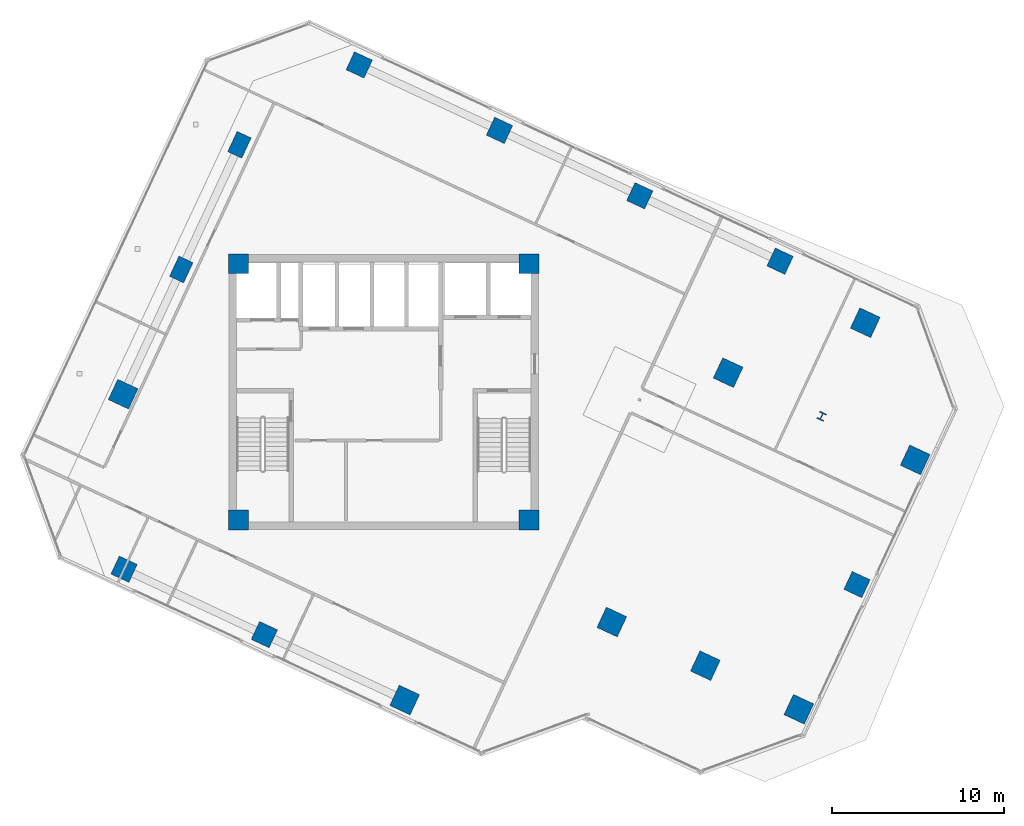
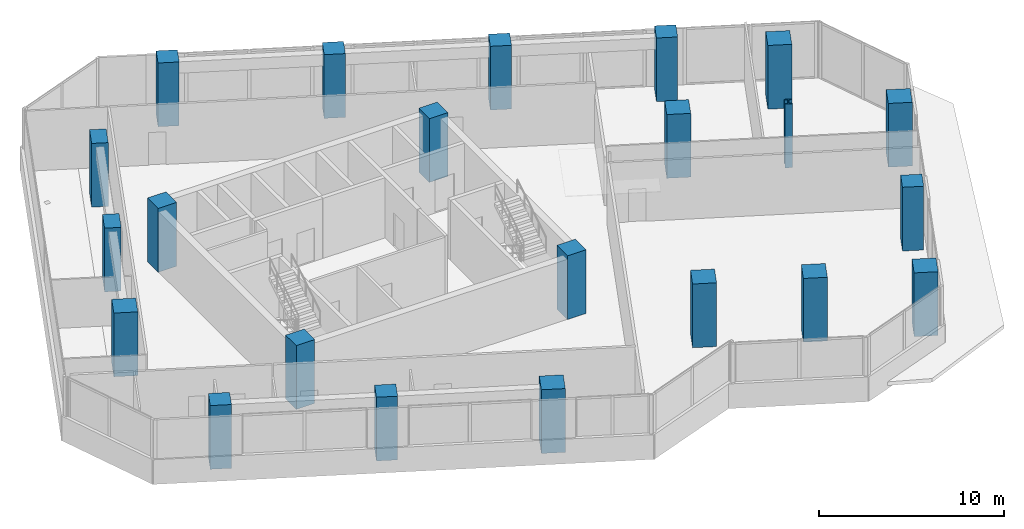
# One storey, part 1 of 23: 22 columns.
"""IFC4 building model written with IfcOpenShell, lengths in metres."""

from ifc_helpers import new_model, si_unit, direction, frame, origin, origin_2d, place, context, subcontext, project, spatial, rectangle, i_section, extrude, source, transform, mapped, material, material_profile, profile_set, type_object, element, save


model = new_model("IFC4")

# Units and contexts
model_context = context("Model", 3, precision=1e-05, world=origin(), true_north=direction((0.0, 1.0)))
body_context = subcontext(model_context, "Body", "Model", "MODEL_VIEW")
ifc_project = project(units=[si_unit("LENGTHUNIT", "METRE"), si_unit("AREAUNIT", "SQUARE_METRE"), si_unit("VOLUMEUNIT", "CUBIC_METRE"), si_unit("PLANEANGLEUNIT", "RADIAN"), si_unit("MASSUNIT", "GRAM", prefix="KILO")], contexts=[model_context])

# Site, building, storey
site_placement = place(None, origin())
site = spatial("IfcSite", under=ifc_project, at=site_placement, CompositionType="ELEMENT")
building_placement = place(site_placement, origin())
building = spatial("IfcBuilding", under=site, at=building_placement, Name="Torre Montelarca", CompositionType="ELEMENT")
storey_placement = place(building_placement, frame((0.0, 0.0, 154.0)))
storey = spatial("IfcBuildingStorey", under=building, at=storey_placement, Name="L34", CompositionType="ELEMENT", Elevation=154.0)

# Columns
ifc_material_1 = material(Name="Concrete C55/67", Category="concrete")
ifc_material_profile_1 = material_profile(ifc_material_1, rectangle(XDim=1.14990234375, YDim=1.14990234375, at=origin_2d()), Name="RC1150X1150", Category="concrete")
ifc_profile_set_1 = profile_set([ifc_material_profile_1], Name="Concrete C55/67")
column_type_1 = type_object("IfcColumnType", Name="COL-RC1150", PredefinedType="COLUMN", material=ifc_profile_set_1)
shared_shape_1 = source(origin(), body_context, "Body", "SweptSolid", [
    extrude(rectangle(XDim=1.14990234375, YDim=1.14990234375, at=origin_2d()), origin(), (0.0, 0.0, 1.0), 4.198486328125),
])
for number, where, z_axis, x_axis, name in (
    (1, (9.550048828125, 24.550048828125, 0.000732421875), (0.0, 0.0, 1.0), (1.0, 0.0, 0.0), "L34 Plumb Core Corner Column 2D"),
    (2, (26.449951171875, 24.550048828125, 0.000732421875), (0.0, 0.0, 1.0), (1.0, 0.0, 0.0), "L34 Plumb Core Corner Column 4D"),
    (3, (9.550048828125, 39.449951171875, 0.000732421875), (0.0, 0.0, 1.0), (1.0, 0.0, 0.0), "L34 Plumb Core Corner Column 2F"),
    (4, (26.449951171875, 39.449951171875, 0.000732421875), (0.0, 0.0, 1.0), (1.0, 0.0, 0.0), "L34 Plumb Core Corner Column 4F"),
):
    element("IfcColumn", number, at=place(storey_placement, frame(where, z_axis=z_axis, x_axis=x_axis)), inside=storey, type_object=column_type_1, Name=name, PredefinedType="COLUMN", context=body_context, shape_type="MappedRepresentation", body=[
        mapped(shared_shape_1, transform((0.0, 0.0, 0.0), scale=1.0)),
    ])
ifc_material_2 = material(Name="Concrete C70/85", Category="concrete")
ifc_material_profile_2 = material_profile(ifc_material_2, rectangle(XDim=1.300048828125, YDim=1.300048828125, at=origin_2d()), Name="RC1300X1300", Category="concrete")
ifc_profile_set_2 = profile_set([ifc_material_profile_2], Name="Concrete C70/85")
column_type_2 = type_object("IfcColumnType", Name="COL-RC1300-EXT", PredefinedType="COLUMN", material=ifc_profile_set_2)
shared_shape_2 = source(origin(), body_context, "Body", "SweptSolid", [
    extrude(rectangle(XDim=1.300048828125, YDim=1.300048828125, at=origin_2d()), origin(), (0.0, 0.0, 1.0), 4.198486328125),
])
for number, where, z_axis, x_axis, name in (
    (5, (19.2158203125, 14.087158203125, 0.000732421875), (0.0, 0.0, 1.0), (-0.906307787037, 0.422618261741, 0.0), "L34 Column 4/CS"),
    (6, (42.13623046875, 13.55029296875, 0.000732421875), (0.0, 0.0, 1.0), (-0.906307787037, 0.422618261741, 0.0), "L34 Column 7/D"),
    (7, (48.898193359375, 28.051025390625, 0.000732421875), (0.0, 0.0, 1.0), (-0.906307787037, 0.422618261741, 0.0), "L34 Column 7/F"),
    (8, (2.847900390625, 31.87060546875, 0.000732421875), (0.0, 0.0, 1.0), (-0.906307787037, 0.422618261741, 0.0), "L34 Column 1W/D"),
):
    element("IfcColumn", number, at=place(storey_placement, frame(where, z_axis=z_axis, x_axis=x_axis)), inside=storey, type_object=column_type_2, Name=name, PredefinedType="COLUMN", context=body_context, shape_type="MappedRepresentation", body=[
        mapped(shared_shape_2, transform((0.0, 0.0, 0.0), scale=1.0)),
    ])
ifc_material_profile_3 = material_profile(ifc_material_1, rectangle(XDim=0.89990234375, YDim=1.300048828125, at=origin_2d()), Name="RC1300X900", Category="concrete")
ifc_profile_set_3 = profile_set([ifc_material_profile_3], Name="Concrete C55/67")
column_type_3 = type_object("IfcColumnType", Name="COL-PIL1300-EXT", PredefinedType="PILASTER", material=ifc_profile_set_3)
shared_shape_3 = source(origin(), body_context, "Body", "SweptSolid", [
    extrude(rectangle(XDim=0.89990234375, YDim=1.300048828125, at=origin_2d()), origin(), (0.0, 0.0, 1.0), 4.198486328125),
])
for number, where, z_axis, x_axis, name in (
    (9, (6.228759765625, 39.12109375, 0.000732421875), (0.0, 0.0, 1.0), (-0.906307787037, 0.422618261741, 0.0), "L34 Column 1W/E"),
    (10, (9.609619140625, 46.37158203125, 0.000732421875), (0.0, 0.0, 1.0), (-0.906307787037, 0.422618261741, 0.0), "L34 Column 1W/F"),
):
    element("IfcColumn", number, at=place(storey_placement, frame(where, z_axis=z_axis, x_axis=x_axis)), inside=storey, type_object=column_type_3, Name=name, PredefinedType="PILASTER", context=body_context, shape_type="MappedRepresentation", body=[
        mapped(shared_shape_3, transform((0.0, 0.0, 0.0), scale=1.0)),
    ])
ifc_material_profile_4 = material_profile(ifc_material_1, rectangle(XDim=1.14990234375, YDim=1.14990234375, at=origin_2d()), Name="RC1150X1150", Category="concrete")
ifc_profile_set_4 = profile_set([ifc_material_profile_4], Name="Concrete C55/67")
column_type_4 = type_object("IfcColumnType", Name="COL-RC1150-EXT", PredefinedType="COLUMN", material=ifc_profile_set_4)
shared_shape_4 = source(origin(), body_context, "Body", "SweptSolid", [
    extrude(rectangle(XDim=1.14990234375, YDim=1.14990234375, at=origin_2d()), origin(), (0.0, 0.0, 1.0), 4.198486328125),
])
for number, where, z_axis, x_axis, name in (
    (11, (2.902099609375, 21.694091796875, 0.000732421875), (0.0, 0.0, 1.0), (-0.906307787037, 0.422618261741, 0.0), "L34 Column 2/CS"),
    (12, (16.57373046875, 51.01318359375, 0.000732421875), (0.0, 0.0, 1.0), (-0.906307787037, 0.422618261741, 0.0), "L34 Column 2/GN"),
    (13, (11.058837890625, 17.890625, 0.000732421875), (0.0, 0.0, 1.0), (-0.906307787037, 0.422618261741, 0.0), "L34 Column 3/CS"),
    (14, (24.730712890625, 47.209716796875, 0.000732421875), (0.0, 0.0, 1.0), (-0.906307787037, 0.422618261741, 0.0), "L34 Column 3/GN"),
    (15, (32.887451171875, 43.40625, 0.000732421875), (0.0, 0.0, 1.0), (-0.906307787037, 0.422618261741, 0.0), "L34 Column 4/GN"),
    (16, (41.044189453125, 39.6025390625, 0.000732421875), (0.0, 0.0, 1.0), (-0.906307787037, 0.422618261741, 0.0), "L34 Column 5/GN"),
    (17, (45.51708984375, 20.800537109375, 0.000732421875), (0.0, 0.0, 1.0), (-0.906307787037, 0.422618261741, 0.0), "L34 Column 7/E"),
):
    element("IfcColumn", number, at=place(storey_placement, frame(where, z_axis=z_axis, x_axis=x_axis)), inside=storey, type_object=column_type_4, Name=name, PredefinedType="COLUMN", context=body_context, shape_type="MappedRepresentation", body=[
        mapped(shared_shape_4, transform((0.0, 0.0, 0.0), scale=1.0)),
    ])
ifc_material_profile_5 = material_profile(ifc_material_2, rectangle(XDim=1.300048828125, YDim=1.300048828125, at=origin_2d()), Name="RC1300X1300", Category="concrete")
ifc_profile_set_5 = profile_set([ifc_material_profile_5], Name="Concrete C70/85")
column_type_5 = type_object("IfcColumnType", Name="COL-RC1300", PredefinedType="COLUMN", material=ifc_profile_set_5)
shared_shape_5 = source(origin(), body_context, "Body", "SweptSolid", [
    extrude(rectangle(XDim=1.300048828125, YDim=1.300048828125, at=origin_2d()), origin(), (0.0, 0.0, 1.0), 4.198486328125),
])
for number, where, z_axis, x_axis, name in (
    (18, (31.260498046875, 18.62158203125, 0.000732421875), (0.0, 0.0, 1.0), (-0.906307787037, 0.422618261741, 0.0), "L34 Column 5/D"),
    (19, (38.0224609375, 33.12255859375, 0.000732421875), (0.0, 0.0, 1.0), (-0.906307787037, 0.422618261741, 0.0), "L34 Column 5/F"),
    (20, (36.698486328125, 16.0859375, 0.000732421875), (0.0, 0.0, 1.0), (-0.906307787037, 0.422618261741, 0.0), "L34 Column 6/D"),
    (21, (45.99609375, 36.024658203125, 0.000732421875), (0.0, 0.0, 1.0), (-0.906307787037, 0.422618261741, 0.0), "L34 Column 6/G"),
):
    element("IfcColumn", number, at=place(storey_placement, frame(where, z_axis=z_axis, x_axis=x_axis)), inside=storey, type_object=column_type_5, Name=name, PredefinedType="COLUMN", context=body_context, shape_type="MappedRepresentation", body=[
        mapped(shared_shape_5, transform((0.0, 0.0, 0.0), scale=1.0)),
    ])
ifc_material_3 = material(Name="Steel ASTM A992 Grade 50", Category="steel")
ifc_material_profile_6 = material_profile(ifc_material_3, i_section(OverallWidth=0.4208984375, OverallDepth=0.465087890625, WebThickness=0.044921875, FlangeThickness=0.072265625, FilletRadius=0.014892578125, at=origin_2d()), Name="W360X592", Category="steel")
ifc_profile_set_6 = profile_set([ifc_material_profile_6], Name="Steel ASTM A992 Grade 50")
column_type_6 = type_object("IfcColumnType", Name="COL-W360X592", PredefinedType="COLUMN", material=ifc_profile_set_6)
shared_shape_6 = source(origin(), body_context, "Body", "SweptSolid", [
    extrude(i_section(OverallWidth=0.4208984375, OverallDepth=0.465087890625, WebThickness=0.044921875, FlangeThickness=0.072265625, FilletRadius=0.014892578125, at=origin_2d()), origin(), (0.0, 0.0, 1.0), 4.198486328125),
])
column_placement = place(storey_placement, frame((43.460205078125, 30.5869140625, 0.000732421875), z_axis=(0.0, 0.0, 1.0), x_axis=(-0.906307787037, 0.422618261741, 0.0)))
element("IfcColumn", 22, at=column_placement, inside=storey, type_object=column_type_6, Name="L34 Column 6/F", PredefinedType="COLUMN", context=body_context, shape_type="MappedRepresentation", body=[
    mapped(shared_shape_6, transform((0.0, 0.0, 0.0), scale=1.0)),
])

save(model, "model.ifc")
